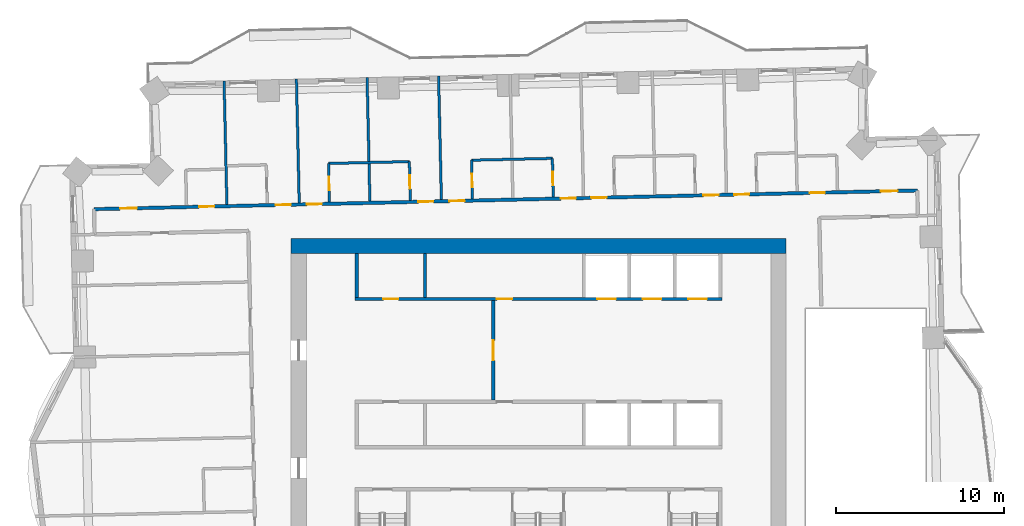
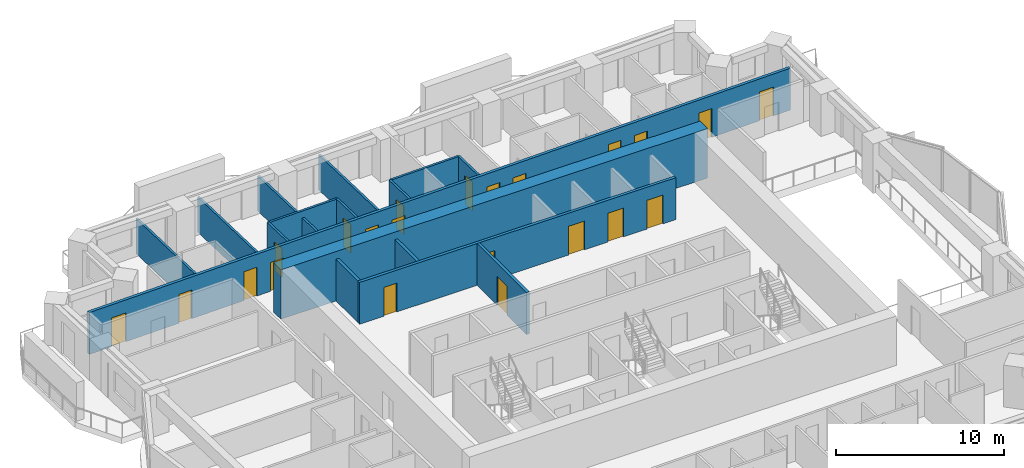
# One storey, part 10 of 16: 22 doors, 16 walls, 22 openings.
"""IFC4 building model written with IfcOpenShell, lengths in metres."""

from ifc_helpers import new_model, si_unit, direction, frame, frame_2d, origin, place, context, subcontext, project, spatial, rectangle, extrude, material, layer, layer_set, type_object, element, fill, save


model = new_model("IFC4")

# Units and contexts
model_context = context("Model", 3, precision=1e-05, world=origin(), true_north=direction((0.0, 1.0)))
body_context = subcontext(model_context, "Body", "Model", "MODEL_VIEW")
ifc_project = project(units=[si_unit("LENGTHUNIT", "METRE"), si_unit("AREAUNIT", "SQUARE_METRE"), si_unit("VOLUMEUNIT", "CUBIC_METRE"), si_unit("PLANEANGLEUNIT", "RADIAN"), si_unit("MASSUNIT", "GRAM", prefix="KILO")], contexts=[model_context])

# Site, building, storey
site_placement = place(None, origin())
site = spatial("IfcSite", under=ifc_project, at=site_placement, CompositionType="ELEMENT")
building_placement = place(site_placement, origin())
building = spatial("IfcBuilding", under=site, at=building_placement, Name="Mangrove Gate Tower", CompositionType="ELEMENT")
storey_placement = place(building_placement, frame((0.0, 0.0, 140.89990234375)))
storey = spatial("IfcBuildingStorey", under=building, at=storey_placement, Name="L35", CompositionType="ELEMENT", Elevation=140.89990234375)

# Wall, opening, door
ifc_material_1 = material(Name="Concrete C32/40", Category="concrete")
ifc_layer_1 = layer(ifc_material_1, 0.199951171875)
ifc_layer_set_1 = layer_set([ifc_layer_1], Name="Core lobby wall 200 C32/40")
wall_type_1 = type_object("IfcWallType", Name="Core lobby wall 200 C32/40", PredefinedType="STANDARD", material=ifc_layer_set_1)
wall_1_placement = place(storey_placement, frame((-2.699951171875, 2.10009765625, 0.0), z_axis=(0.0, 0.0, 1.0), x_axis=(0.0, 1.0, 0.0)))
wall_1 = element("IfcWall", 1, at=wall_1_placement, inside=storey, type_object=wall_type_1, Name="WALL-L35-CORE-31", PredefinedType="STANDARD", context=body_context, shape_type="SweptSolid", body=[
    extrude(rectangle(XDim=5.89990234375, YDim=0.199951171875, at=frame_2d((2.949951171875, 0.0))), origin(), (0.0, 0.0, 1.0), 3.050048828125),
])
opening_1_placement = place(wall_1_placement, frame((2.35009765625, 0.0, 0.0)))
opening_1 = element("IfcOpeningElement", 2, at=opening_1_placement, cuts=wall_1, Name="Opening FL12", PredefinedType="OPENING", context=body_context, shape_type="SweptSolid", body=[
    extrude(rectangle(XDim=1.199951171875, YDim=2.10009765625, at=frame_2d((0.60009765625, 1.050048828125))), frame((0.0, 0.10986328125, 0.0), z_axis=(0.0, -1.0, 0.0), x_axis=(1.0, 0.0, 0.0)), (0.0, 0.0, 1.0), 0.219970703125),
])
ifc_material_2 = material(Name="Fire-rated steel door set", Category="steel")
door_type_1 = type_object("IfcDoorType", Name="Lobby door FD60 1200x2100", OperationType="SINGLE_SWING_LEFT", PredefinedType="DOOR", material=ifc_material_2)
door_1_placement = place(opening_1_placement, origin())
door_1 = element("IfcDoor", 3, at=door_1_placement, inside=storey, type_object=door_type_1, Name="Lobby door lift lobby partition", OperationType="SINGLE_SWING_LEFT", OverallHeight=2.10009765625, OverallWidth=1.199951171875, PredefinedType="DOOR", context=body_context, shape_type="SweptSolid", body=[
    extrude(rectangle(XDim=1.199951171875, YDim=2.10009765625, at=frame_2d((0.60009765625, 1.050048828125))), frame((0.0, 0.02490234375, 0.0), z_axis=(0.0, -1.0, 0.0), x_axis=(1.0, 0.0, 0.0)), (0.0, 0.0, 1.0), 0.050048828125),
])
fill(opening_1, door_1)

# Walls
ifc_material_3 = material(Name="Concrete C32/40", Category="concrete")
ifc_layer_2 = layer(ifc_material_3, 0.199951171875)
ifc_layer_set_2 = layer_set([ifc_layer_2], Name="Core room wall 200 C32/40")
wall_type_2 = type_object("IfcWallType", Name="Core room wall 200 C32/40", PredefinedType="STANDARD", material=ifc_layer_set_2)
for number, where, z_axis, x_axis, name in (
    (4, (-10.800048828125, 8.199951171875, 0.0), (0.0, 0.0, 1.0), (0.0, 1.0, 0.0), "WALL-L35-CORE-25"),
    (5, (-6.75, 8.199951171875, 0.0), (0.0, 0.0, 1.0), (0.0, 1.0, 0.0), "WALL-L35-CORE-26"),
):
    element("IfcWall", number, at=place(storey_placement, frame(where, z_axis=z_axis, x_axis=x_axis)), inside=storey, type_object=wall_type_2, Name=name, PredefinedType="STANDARD", context=body_context, shape_type="SweptSolid", body=[
        extrude(rectangle(XDim=2.60009765625, YDim=0.199951171875, at=frame_2d((1.300048828125, 0.0))), origin(), (0.0, 0.0, 1.0), 3.050048828125),
    ])

# Wall, openings, doors
ifc_material_4 = material(Name="Concrete C70/85", Category="concrete")
ifc_layer_3 = layer(ifc_material_4, 0.199951171875)
ifc_layer_set_3 = layer_set([ifc_layer_3], Name="Core shaft wall 200 C70/85")
wall_type_3 = type_object("IfcWallType", Name="Core shaft wall 200 C70/85", PredefinedType="SHEAR", material=ifc_layer_set_3)
wall_2_placement = place(storey_placement, frame((-10.89990234375, 8.10009765625, 0.0), z_axis=(0.0, 0.0, 1.0), x_axis=(1.0, 0.0, 0.0)))
wall_2 = element("IfcWall", 6, at=wall_2_placement, inside=storey, type_object=wall_type_3, Name="WALL-L35-CORE-8", PredefinedType="SHEAR", context=body_context, shape_type="SweptSolid", body=[
    extrude(rectangle(XDim=21.7998046875, YDim=0.199951171875, at=frame_2d((10.89990234375, 0.0))), origin(), (0.0, 0.0, 1.0), 3.050048828125),
])
opening_2_placement = place(wall_2_placement, frame((14.39990234375, 0.0, 0.0)))
opening_2 = element("IfcOpeningElement", 7, at=opening_2_placement, cuts=wall_2, Name="Opening LD", PredefinedType="OPENING", context=body_context, shape_type="SweptSolid", body=[
    extrude(rectangle(XDim=1.10009765625, YDim=2.10009765625, at=frame_2d((0.550048828125, 1.050048828125))), frame((0.0, 0.10986328125, 0.0), z_axis=(0.0, -1.0, 0.0), x_axis=(1.0, 0.0, 0.0)), (0.0, 0.0, 1.0), 0.219970703125),
])
opening_3_placement = place(wall_2_placement, frame((17.10009765625, 0.0, 0.0)))
opening_3 = element("IfcOpeningElement", 8, at=opening_3_placement, cuts=wall_2, Name="Opening LD", PredefinedType="OPENING", context=body_context, shape_type="SweptSolid", body=[
    extrude(rectangle(XDim=1.10009765625, YDim=2.10009765625, at=frame_2d((0.550048828125, 1.050048828125))), frame((0.0, 0.10986328125, 0.0), z_axis=(0.0, -1.0, 0.0), x_axis=(1.0, 0.0, 0.0)), (0.0, 0.0, 1.0), 0.219970703125),
])
opening_4_placement = place(wall_2_placement, frame((19.800048828125, 0.0, 0.0)))
opening_4 = element("IfcOpeningElement", 9, at=opening_4_placement, cuts=wall_2, Name="Opening LD", PredefinedType="OPENING", context=body_context, shape_type="SweptSolid", body=[
    extrude(rectangle(XDim=1.10009765625, YDim=2.10009765625, at=frame_2d((0.550048828125, 1.050048828125))), frame((0.0, 0.10986328125, 0.0), z_axis=(0.0, -1.0, 0.0), x_axis=(1.0, 0.0, 0.0)), (0.0, 0.0, 1.0), 0.219970703125),
])
opening_5_placement = place(wall_2_placement, frame((1.675048828125, 0.0, 0.0)))
opening_5 = element("IfcOpeningElement", 10, at=opening_5_placement, cuts=wall_2, Name="Opening KD", PredefinedType="OPENING", context=body_context, shape_type="SweptSolid", body=[
    extrude(rectangle(XDim=0.89990234375, YDim=2.10009765625, at=frame_2d((0.449951171875, 1.050048828125))), frame((0.0, 0.10986328125, 0.0), z_axis=(0.0, -1.0, 0.0), x_axis=(1.0, 0.0, 0.0)), (0.0, 0.0, 1.0), 0.219970703125),
])
opening_6_placement = place(wall_2_placement, frame((8.425048828125, 0.0, 0.0)))
opening_6 = element("IfcOpeningElement", 11, at=opening_6_placement, cuts=wall_2, Name="Opening RD", PredefinedType="OPENING", context=body_context, shape_type="SweptSolid", body=[
    extrude(rectangle(XDim=0.89990234375, YDim=2.10009765625, at=frame_2d((0.449951171875, 1.050048828125))), frame((0.0, 0.10986328125, 0.0), z_axis=(0.0, -1.0, 0.0), x_axis=(1.0, 0.0, 0.0)), (0.0, 0.0, 1.0), 0.219970703125),
])
ifc_material_5 = material(Name="Fire-rated steel door set", Category="steel")
door_type_2 = type_object("IfcDoorType", Name="Core room door FD30S 900x2100", OperationType="SINGLE_SWING_RIGHT", PredefinedType="DOOR", material=ifc_material_5)
door_2_placement = place(opening_5_placement, origin())
door_2 = element("IfcDoor", 12, at=door_2_placement, inside=storey, type_object=door_type_2, Name="Core room door Linen store", OperationType="SINGLE_SWING_RIGHT", OverallHeight=2.10009765625, OverallWidth=0.89990234375, PredefinedType="DOOR", context=body_context, shape_type="SweptSolid", body=[
    extrude(rectangle(XDim=0.89990234375, YDim=2.10009765625, at=frame_2d((0.449951171875, 1.050048828125))), frame((0.0, 0.02490234375, 0.0), z_axis=(0.0, -1.0, 0.0), x_axis=(1.0, 0.0, 0.0)), (0.0, 0.0, 1.0), 0.050048828125),
])
fill(opening_5, door_2)
ifc_material_6 = material(Name="Stainless steel 316", Category="steel")
door_type_3 = type_object("IfcDoorType", Name="Lift landing door 1100x2100", OperationType="SLIDING_TO_LEFT", PredefinedType="DOOR", material=ifc_material_6)
door_3_placement = place(opening_2_placement, origin())
door_3 = element("IfcDoor", 13, at=door_3_placement, inside=storey, type_object=door_type_3, Name="Landing door LD M04", OperationType="SLIDING_TO_LEFT", OverallHeight=2.10009765625, OverallWidth=1.10009765625, PredefinedType="DOOR", context=body_context, shape_type="SweptSolid", body=[
    extrude(rectangle(XDim=1.10009765625, YDim=2.10009765625, at=frame_2d((0.550048828125, 1.050048828125))), frame((0.0, 0.02490234375, 0.0), z_axis=(0.0, -1.0, 0.0), x_axis=(1.0, 0.0, 0.0)), (0.0, 0.0, 1.0), 0.050048828125),
])
fill(opening_2, door_3)
door_4_placement = place(opening_3_placement, origin())
door_4 = element("IfcDoor", 14, at=door_4_placement, inside=storey, type_object=door_type_3, Name="Landing door LD M05", OperationType="SLIDING_TO_LEFT", OverallHeight=2.10009765625, OverallWidth=1.10009765625, PredefinedType="DOOR", context=body_context, shape_type="SweptSolid", body=[
    extrude(rectangle(XDim=1.10009765625, YDim=2.10009765625, at=frame_2d((0.550048828125, 1.050048828125))), frame((0.0, 0.02490234375, 0.0), z_axis=(0.0, -1.0, 0.0), x_axis=(1.0, 0.0, 0.0)), (0.0, 0.0, 1.0), 0.050048828125),
])
fill(opening_3, door_4)
door_5_placement = place(opening_4_placement, origin())
door_5 = element("IfcDoor", 15, at=door_5_placement, inside=storey, type_object=door_type_3, Name="Landing door LD M06", OperationType="SLIDING_TO_LEFT", OverallHeight=2.10009765625, OverallWidth=1.10009765625, PredefinedType="DOOR", context=body_context, shape_type="SweptSolid", body=[
    extrude(rectangle(XDim=1.10009765625, YDim=2.10009765625, at=frame_2d((0.550048828125, 1.050048828125))), frame((0.0, 0.02490234375, 0.0), z_axis=(0.0, -1.0, 0.0), x_axis=(1.0, 0.0, 0.0)), (0.0, 0.0, 1.0), 0.050048828125),
])
fill(opening_4, door_5)
ifc_material_7 = material(Name="Fire-rated steel door set", Category="steel")
door_type_4 = type_object("IfcDoorType", Name="Riser door FD30S 900x2100", OperationType="SINGLE_SWING_LEFT", PredefinedType="DOOR", material=ifc_material_7)
door_6_placement = place(opening_6_placement, origin())
door_6 = element("IfcDoor", 16, at=door_6_placement, inside=storey, type_object=door_type_4, Name="Riser door Switch room", OperationType="SINGLE_SWING_LEFT", OverallHeight=2.10009765625, OverallWidth=0.89990234375, PredefinedType="DOOR", context=body_context, shape_type="SweptSolid", body=[
    extrude(rectangle(XDim=0.89990234375, YDim=2.10009765625, at=frame_2d((0.449951171875, 1.050048828125))), frame((0.0, 0.02490234375, 0.0), z_axis=(0.0, -1.0, 0.0), x_axis=(1.0, 0.0, 0.0)), (0.0, 0.0, 1.0), 0.050048828125),
])
fill(opening_6, door_6)

# Wall
ifc_material_8 = material(Name="Concrete C70/85", Category="concrete")
ifc_layer_4 = layer(ifc_material_8, 0.89990234375)
ifc_layer_set_4 = layer_set([ifc_layer_4], Name="Core wall 900 C70/85")
wall_type_4 = type_object("IfcWallType", Name="Core wall 900 C70/85", PredefinedType="SHEAR", material=ifc_layer_set_4)
wall_3_placement = place(storey_placement, frame((-14.699951171875, 11.25, 0.0), z_axis=(0.0, 0.0, 1.0), x_axis=(1.0, 0.0, 0.0)))
element("IfcWall", 17, at=wall_3_placement, inside=storey, type_object=wall_type_4, Name="WALL-L35-CORE-2", PredefinedType="SHEAR", context=body_context, shape_type="SweptSolid", body=[
    extrude(rectangle(XDim=29.39990234375, YDim=0.89990234375, at=frame_2d((14.699951171875, 0.0))), origin(), (0.0, 0.0, 1.0), 3.60009765625),
])

# Wall, openings, doors
ifc_material_9 = material(Name="Gypsum board on steel stud, EI 60", Category="steel")
ifc_layer_5 = layer(ifc_material_9, 0.199951171875)
ifc_layer_set_5 = layer_set([ifc_layer_5], Name="Corridor wall EI 60")
wall_type_5 = type_object("IfcWallType", Name="Corridor wall EI 60", PredefinedType="PARTITIONING", material=ifc_layer_set_5)
wall_4_placement = place(storey_placement, frame((-26.4208984375, 13.44091796875, 0.0), z_axis=(0.0, 0.0, 1.0), x_axis=(0.999742754064, 0.022680954485, 0.0)))
wall_4 = element("IfcWall", 18, at=wall_4_placement, inside=storey, type_object=wall_type_5, Name="WALL-L35-055", PredefinedType="PARTITIONING", context=body_context, shape_type="SweptSolid", body=[
    extrude(rectangle(XDim=48.944580078125, YDim=0.199951171875, at=frame_2d((24.47216796875, 0.0))), origin(), (0.0, 0.0, 1.0), 3.050048828125),
])
opening_7_placement = place(wall_4_placement, frame((46.77197265625, 0.0, 0.0)))
opening_7 = element("IfcOpeningElement", 19, at=opening_7_placement, cuts=wall_4, Name="Opening AD", PredefinedType="OPENING", context=body_context, shape_type="SweptSolid", body=[
    extrude(rectangle(XDim=1.0, YDim=2.10009765625, at=frame_2d((0.5, 1.050048828125))), frame((0.0, 0.10986328125, 0.0), z_axis=(0.0, -1.0, 0.0), x_axis=(1.0, 0.0, 0.0)), (0.0, 0.0, 1.0), 0.219970703125),
])
opening_8_placement = place(wall_4_placement, frame((42.550048828125, 0.0, 0.0)))
opening_8 = element("IfcOpeningElement", 20, at=opening_8_placement, cuts=wall_4, Name="Opening SD", PredefinedType="OPENING", context=body_context, shape_type="SweptSolid", body=[
    extrude(rectangle(XDim=0.89990234375, YDim=2.10009765625, at=frame_2d((0.449951171875, 1.050048828125))), frame((0.0, 0.10986328125, 0.0), z_axis=(0.0, -1.0, 0.0), x_axis=(1.0, 0.0, 0.0)), (0.0, 0.0, 1.0), 0.219970703125),
])
opening_9_placement = place(wall_4_placement, frame((38.050048828125, 0.0, 0.0)))
opening_9 = element("IfcOpeningElement", 21, at=opening_9_placement, cuts=wall_4, Name="Opening BD", PredefinedType="OPENING", context=body_context, shape_type="SweptSolid", body=[
    extrude(rectangle(XDim=0.89990234375, YDim=2.10009765625, at=frame_2d((0.449951171875, 1.050048828125))), frame((0.0, 0.10986328125, 0.0), z_axis=(0.0, -1.0, 0.0), x_axis=(1.0, 0.0, 0.0)), (0.0, 0.0, 1.0), 0.219970703125),
])
opening_10_placement = place(wall_4_placement, frame((36.22509765625, 0.0, 0.0)))
opening_10 = element("IfcOpeningElement", 22, at=opening_10_placement, cuts=wall_4, Name="Opening BD", PredefinedType="OPENING", context=body_context, shape_type="SweptSolid", body=[
    extrude(rectangle(XDim=0.89990234375, YDim=2.10009765625, at=frame_2d((0.449951171875, 1.050048828125))), frame((0.0, 0.10986328125, 0.0), z_axis=(0.0, -1.0, 0.0), x_axis=(1.0, 0.0, 0.0)), (0.0, 0.0, 1.0), 0.219970703125),
])
opening_11_placement = place(wall_4_placement, frame((29.574951171875, 0.0, 0.0)))
opening_11 = element("IfcOpeningElement", 23, at=opening_11_placement, cuts=wall_4, Name="Opening BD", PredefinedType="OPENING", context=body_context, shape_type="SweptSolid", body=[
    extrude(rectangle(XDim=0.89990234375, YDim=2.10009765625, at=frame_2d((0.449951171875, 1.050048828125))), frame((0.0, 0.10986328125, 0.0), z_axis=(0.0, -1.0, 0.0), x_axis=(1.0, 0.0, 0.0)), (0.0, 0.0, 1.0), 0.219970703125),
])
opening_12_placement = place(wall_4_placement, frame((27.75, 0.0, 0.0)))
opening_12 = element("IfcOpeningElement", 24, at=opening_12_placement, cuts=wall_4, Name="Opening BD", PredefinedType="OPENING", context=body_context, shape_type="SweptSolid", body=[
    extrude(rectangle(XDim=0.89990234375, YDim=2.10009765625, at=frame_2d((0.449951171875, 1.050048828125))), frame((0.0, 0.10986328125, 0.0), z_axis=(0.0, -1.0, 0.0), x_axis=(1.0, 0.0, 0.0)), (0.0, 0.0, 1.0), 0.219970703125),
])
opening_13_placement = place(wall_4_placement, frame((21.125, 0.0, 0.0)))
opening_13 = element("IfcOpeningElement", 25, at=opening_13_placement, cuts=wall_4, Name="Opening BD", PredefinedType="OPENING", context=body_context, shape_type="SweptSolid", body=[
    extrude(rectangle(XDim=0.89990234375, YDim=2.10009765625, at=frame_2d((0.449951171875, 1.050048828125))), frame((0.0, 0.10986328125, 0.0), z_axis=(0.0, -1.0, 0.0), x_axis=(1.0, 0.0, 0.0)), (0.0, 0.0, 1.0), 0.219970703125),
])
opening_14_placement = place(wall_4_placement, frame((19.27490234375, 0.0, 0.0)))
opening_14 = element("IfcOpeningElement", 26, at=opening_14_placement, cuts=wall_4, Name="Opening BD", PredefinedType="OPENING", context=body_context, shape_type="SweptSolid", body=[
    extrude(rectangle(XDim=0.89990234375, YDim=2.10009765625, at=frame_2d((0.449951171875, 1.050048828125))), frame((0.0, 0.10986328125, 0.0), z_axis=(0.0, -1.0, 0.0), x_axis=(1.0, 0.0, 0.0)), (0.0, 0.0, 1.0), 0.219970703125),
])
opening_15_placement = place(wall_4_placement, frame((12.64990234375, 0.0, 0.0)))
opening_15 = element("IfcOpeningElement", 27, at=opening_15_placement, cuts=wall_4, Name="Opening BD", PredefinedType="OPENING", context=body_context, shape_type="SweptSolid", body=[
    extrude(rectangle(XDim=0.89990234375, YDim=2.10009765625, at=frame_2d((0.449951171875, 1.050048828125))), frame((0.0, 0.10986328125, 0.0), z_axis=(0.0, -1.0, 0.0), x_axis=(1.0, 0.0, 0.0)), (0.0, 0.0, 1.0), 0.219970703125),
])
opening_16_placement = place(wall_4_placement, frame((10.800048828125, 0.0, 0.0)))
opening_16 = element("IfcOpeningElement", 28, at=opening_16_placement, cuts=wall_4, Name="Opening BD", PredefinedType="OPENING", context=body_context, shape_type="SweptSolid", body=[
    extrude(rectangle(XDim=0.89990234375, YDim=2.10009765625, at=frame_2d((0.449951171875, 1.050048828125))), frame((0.0, 0.10986328125, 0.0), z_axis=(0.0, -1.0, 0.0), x_axis=(1.0, 0.0, 0.0)), (0.0, 0.0, 1.0), 0.219970703125),
])
opening_17_placement = place(wall_4_placement, frame((1.550048828125, 0.0, 0.0)))
opening_17 = element("IfcOpeningElement", 29, at=opening_17_placement, cuts=wall_4, Name="Opening AD", PredefinedType="OPENING", context=body_context, shape_type="SweptSolid", body=[
    extrude(rectangle(XDim=1.0, YDim=2.10009765625, at=frame_2d((0.5, 1.050048828125))), frame((0.0, 0.10986328125, 0.0), z_axis=(0.0, -1.0, 0.0), x_axis=(1.0, 0.0, 0.0)), (0.0, 0.0, 1.0), 0.219970703125),
])
opening_18_placement = place(wall_4_placement, frame((6.25, 0.0, 0.0)))
opening_18 = element("IfcOpeningElement", 30, at=opening_18_placement, cuts=wall_4, Name="Opening SD", PredefinedType="OPENING", context=body_context, shape_type="SweptSolid", body=[
    extrude(rectangle(XDim=0.89990234375, YDim=2.10009765625, at=frame_2d((0.449951171875, 1.050048828125))), frame((0.0, 0.10986328125, 0.0), z_axis=(0.0, -1.0, 0.0), x_axis=(1.0, 0.0, 0.0)), (0.0, 0.0, 1.0), 0.219970703125),
])
ifc_material_10 = material(Name="Timber door leaf", Category="wood")
door_type_5 = type_object("IfcDoorType", Name="Amenity door 1000", OperationType="SINGLE_SWING_LEFT", PredefinedType="DOOR", material=ifc_material_10)
door_7_placement = place(opening_7_placement, origin())
door_7 = element("IfcDoor", 31, at=door_7_placement, inside=storey, type_object=door_type_5, Name="DOOR-L35-GAM-c3c", OperationType="SINGLE_SWING_RIGHT", OverallHeight=2.10009765625, OverallWidth=1.0, PredefinedType="DOOR", context=body_context, shape_type="SweptSolid", body=[
    extrude(rectangle(XDim=1.0, YDim=2.10009765625, at=frame_2d((0.5, 1.050048828125))), frame((0.0, 0.02490234375, 0.0), z_axis=(0.0, -1.0, 0.0), x_axis=(1.0, 0.0, 0.0)), (0.0, 0.0, 1.0), 0.050048828125),
])
fill(opening_7, door_7)
door_8_placement = place(opening_17_placement, origin())
door_8 = element("IfcDoor", 32, at=door_8_placement, inside=storey, type_object=door_type_5, Name="DOOR-L35-LNG-c5a", OperationType="SINGLE_SWING_LEFT", OverallHeight=2.10009765625, OverallWidth=1.0, PredefinedType="DOOR", context=body_context, shape_type="SweptSolid", body=[
    extrude(rectangle(XDim=1.0, YDim=2.10009765625, at=frame_2d((0.5, 1.050048828125))), frame((0.0, 0.02490234375, 0.0), z_axis=(0.0, -1.0, 0.0), x_axis=(1.0, 0.0, 0.0)), (0.0, 0.0, 1.0), 0.050048828125),
])
fill(opening_17, door_8)
ifc_material_11 = material(Name="Timber door leaf", Category="wood")
door_type_6 = type_object("IfcDoorType", Name="Bedroom door 900", OperationType="SINGLE_SWING_LEFT", PredefinedType="DOOR", material=ifc_material_11)
door_9_placement = place(opening_9_placement, origin())
door_9 = element("IfcDoor", 33, at=door_9_placement, inside=storey, type_object=door_type_6, Name="DOOR-L35-BED-c308", OperationType="SINGLE_SWING_RIGHT", OverallHeight=2.10009765625, OverallWidth=0.89990234375, PredefinedType="DOOR", context=body_context, shape_type="SweptSolid", body=[
    extrude(rectangle(XDim=0.89990234375, YDim=2.10009765625, at=frame_2d((0.449951171875, 1.050048828125))), frame((0.0, 0.02490234375, 0.0), z_axis=(0.0, -1.0, 0.0), x_axis=(1.0, 0.0, 0.0)), (0.0, 0.0, 1.0), 0.050048828125),
])
fill(opening_9, door_9)
door_10_placement = place(opening_10_placement, origin())
door_10 = element("IfcDoor", 34, at=door_10_placement, inside=storey, type_object=door_type_6, Name="DOOR-L35-BED-c309", OperationType="SINGLE_SWING_LEFT", OverallHeight=2.10009765625, OverallWidth=0.89990234375, PredefinedType="DOOR", context=body_context, shape_type="SweptSolid", body=[
    extrude(rectangle(XDim=0.89990234375, YDim=2.10009765625, at=frame_2d((0.449951171875, 1.050048828125))), frame((0.0, 0.02490234375, 0.0), z_axis=(0.0, -1.0, 0.0), x_axis=(1.0, 0.0, 0.0)), (0.0, 0.0, 1.0), 0.050048828125),
])
fill(opening_10, door_10)
door_11_placement = place(opening_11_placement, origin())
door_11 = element("IfcDoor", 35, at=door_11_placement, inside=storey, type_object=door_type_6, Name="DOOR-L35-BED-c410", OperationType="SINGLE_SWING_RIGHT", OverallHeight=2.10009765625, OverallWidth=0.89990234375, PredefinedType="DOOR", context=body_context, shape_type="SweptSolid", body=[
    extrude(rectangle(XDim=0.89990234375, YDim=2.10009765625, at=frame_2d((0.449951171875, 1.050048828125))), frame((0.0, 0.02490234375, 0.0), z_axis=(0.0, -1.0, 0.0), x_axis=(1.0, 0.0, 0.0)), (0.0, 0.0, 1.0), 0.050048828125),
])
fill(opening_11, door_11)
door_12_placement = place(opening_12_placement, origin())
door_12 = element("IfcDoor", 36, at=door_12_placement, inside=storey, type_object=door_type_6, Name="DOOR-L35-BED-c411", OperationType="SINGLE_SWING_LEFT", OverallHeight=2.10009765625, OverallWidth=0.89990234375, PredefinedType="DOOR", context=body_context, shape_type="SweptSolid", body=[
    extrude(rectangle(XDim=0.89990234375, YDim=2.10009765625, at=frame_2d((0.449951171875, 1.050048828125))), frame((0.0, 0.02490234375, 0.0), z_axis=(0.0, -1.0, 0.0), x_axis=(1.0, 0.0, 0.0)), (0.0, 0.0, 1.0), 0.050048828125),
])
fill(opening_12, door_12)
door_13_placement = place(opening_13_placement, origin())
door_13 = element("IfcDoor", 37, at=door_13_placement, inside=storey, type_object=door_type_6, Name="DOOR-L35-BED-c412", OperationType="SINGLE_SWING_RIGHT", OverallHeight=2.10009765625, OverallWidth=0.89990234375, PredefinedType="DOOR", context=body_context, shape_type="SweptSolid", body=[
    extrude(rectangle(XDim=0.89990234375, YDim=2.10009765625, at=frame_2d((0.449951171875, 1.050048828125))), frame((0.0, 0.02490234375, 0.0), z_axis=(0.0, -1.0, 0.0), x_axis=(1.0, 0.0, 0.0)), (0.0, 0.0, 1.0), 0.050048828125),
])
fill(opening_13, door_13)
door_14_placement = place(opening_14_placement, origin())
door_14 = element("IfcDoor", 38, at=door_14_placement, inside=storey, type_object=door_type_6, Name="DOOR-L35-BED-c513", OperationType="SINGLE_SWING_LEFT", OverallHeight=2.10009765625, OverallWidth=0.89990234375, PredefinedType="DOOR", context=body_context, shape_type="SweptSolid", body=[
    extrude(rectangle(XDim=0.89990234375, YDim=2.10009765625, at=frame_2d((0.449951171875, 1.050048828125))), frame((0.0, 0.02490234375, 0.0), z_axis=(0.0, -1.0, 0.0), x_axis=(1.0, 0.0, 0.0)), (0.0, 0.0, 1.0), 0.050048828125),
])
fill(opening_14, door_14)
door_15_placement = place(opening_15_placement, origin())
door_15 = element("IfcDoor", 39, at=door_15_placement, inside=storey, type_object=door_type_6, Name="DOOR-L35-BED-c514", OperationType="SINGLE_SWING_RIGHT", OverallHeight=2.10009765625, OverallWidth=0.89990234375, PredefinedType="DOOR", context=body_context, shape_type="SweptSolid", body=[
    extrude(rectangle(XDim=0.89990234375, YDim=2.10009765625, at=frame_2d((0.449951171875, 1.050048828125))), frame((0.0, 0.02490234375, 0.0), z_axis=(0.0, -1.0, 0.0), x_axis=(1.0, 0.0, 0.0)), (0.0, 0.0, 1.0), 0.050048828125),
])
fill(opening_15, door_15)
door_16_placement = place(opening_16_placement, origin())
door_16 = element("IfcDoor", 40, at=door_16_placement, inside=storey, type_object=door_type_6, Name="DOOR-L35-BED-c515", OperationType="SINGLE_SWING_LEFT", OverallHeight=2.10009765625, OverallWidth=0.89990234375, PredefinedType="DOOR", context=body_context, shape_type="SweptSolid", body=[
    extrude(rectangle(XDim=0.89990234375, YDim=2.10009765625, at=frame_2d((0.449951171875, 1.050048828125))), frame((0.0, 0.02490234375, 0.0), z_axis=(0.0, -1.0, 0.0), x_axis=(1.0, 0.0, 0.0)), (0.0, 0.0, 1.0), 0.050048828125),
])
fill(opening_16, door_16)
ifc_material_12 = material(Name="Timber door leaf", Category="wood")
door_type_7 = type_object("IfcDoorType", Name="Service room door 900", OperationType="SINGLE_SWING_LEFT", PredefinedType="DOOR", material=ifc_material_12)
door_17_placement = place(opening_8_placement, origin())
door_17 = element("IfcDoor", 41, at=door_17_placement, inside=storey, type_object=door_type_7, Name="DOOR-L35-LIN-c3a", OperationType="SINGLE_SWING_LEFT", OverallHeight=2.10009765625, OverallWidth=0.89990234375, PredefinedType="DOOR", context=body_context, shape_type="SweptSolid", body=[
    extrude(rectangle(XDim=0.89990234375, YDim=2.10009765625, at=frame_2d((0.449951171875, 1.050048828125))), frame((0.0, 0.02490234375, 0.0), z_axis=(0.0, -1.0, 0.0), x_axis=(1.0, 0.0, 0.0)), (0.0, 0.0, 1.0), 0.050048828125),
])
fill(opening_8, door_17)
door_18_placement = place(opening_18_placement, origin())
door_18 = element("IfcDoor", 42, at=door_18_placement, inside=storey, type_object=door_type_7, Name="DOOR-L35-LIN-c5a", OperationType="SINGLE_SWING_RIGHT", OverallHeight=2.10009765625, OverallWidth=0.89990234375, PredefinedType="DOOR", context=body_context, shape_type="SweptSolid", body=[
    extrude(rectangle(XDim=0.89990234375, YDim=2.10009765625, at=frame_2d((0.449951171875, 1.050048828125))), frame((0.0, 0.02490234375, 0.0), z_axis=(0.0, -1.0, 0.0), x_axis=(1.0, 0.0, 0.0)), (0.0, 0.0, 1.0), 0.050048828125),
])
fill(opening_18, door_18)

# Walls
ifc_material_13 = material(Name="Gypsum board on steel stud, EI 60", Category="steel")
ifc_layer_6 = layer(ifc_material_13, 0.14990234375)
ifc_layer_set_6 = layer_set([ifc_layer_6], Name="Party wall 150 EI 60")
wall_type_6 = type_object("IfcWallType", Name="Party wall 150 EI 60", PredefinedType="PARTITIONING", material=ifc_layer_set_6)
wall_5_placement = place(storey_placement, frame((-18.52294921875, 13.719970703125, 0.0), z_axis=(0.0, 0.0, 1.0), x_axis=(-0.022719896304, 0.99974186984, 0.0)))
element("IfcWall", 43, at=wall_5_placement, inside=storey, type_object=wall_type_6, Name="WALL-L35-057", PredefinedType="PARTITIONING", context=body_context, shape_type="SweptSolid", body=[
    extrude(rectangle(XDim=7.35009765625, YDim=0.14990234375, at=frame_2d((3.675048828125, 0.0))), origin(), (0.0, 0.0, 1.0), 2.550048828125),
])
wall_6_placement = place(storey_placement, frame((-14.22412109375, 13.818115234375, 0.0), z_axis=(0.0, 0.0, 1.0), x_axis=(-0.022720650804, 0.999741852694, 0.0)))
element("IfcWall", 44, at=wall_6_placement, inside=storey, type_object=wall_type_6, Name="WALL-L35-059", PredefinedType="PARTITIONING", context=body_context, shape_type="SweptSolid", body=[
    extrude(rectangle(XDim=7.349853515625, YDim=0.14990234375, at=frame_2d((3.6748046875, 0.0))), origin(), (0.0, 0.0, 1.0), 2.550048828125),
])

# Wall, opening, door
wall_7_placement = place(storey_placement, frame((-12.425048828125, 13.85791015625, 0.0), z_axis=(0.0, 0.0, 1.0), x_axis=(-0.022603288534, 0.999744513037, 0.0)))
wall_7 = element("IfcWall", 45, at=wall_7_placement, inside=storey, type_object=wall_type_6, Name="WALL-L35-060", PredefinedType="PARTITIONING", context=body_context, shape_type="SweptSolid", body=[
    extrude(rectangle(XDim=2.300537109375, YDim=0.14990234375, at=frame_2d((1.150390625, 0.0))), origin(), (0.0, 0.0, 1.0), 3.050048828125),
])
opening_19_placement = place(wall_7_placement, frame((0.699951171875, 0.0, 0.0)))
opening_19 = element("IfcOpeningElement", 46, at=opening_19_placement, cuts=wall_7, Name="Opening ED", PredefinedType="OPENING", context=body_context, shape_type="SweptSolid", body=[
    extrude(rectangle(XDim=0.800048828125, YDim=2.10009765625, at=frame_2d((0.39990234375, 1.050048828125))), frame((0.0, 0.0849609375, 0.0), z_axis=(0.0, -1.0, 0.0), x_axis=(1.0, 0.0, 0.0)), (0.0, 0.0, 1.0), 0.169921875),
])
ifc_material_14 = material(Name="Timber door leaf", Category="wood")
door_type_8 = type_object("IfcDoorType", Name="En-suite door 800", OperationType="SINGLE_SWING_LEFT", PredefinedType="DOOR", material=ifc_material_14)
door_19_placement = place(opening_19_placement, origin())
door_19 = element("IfcDoor", 47, at=door_19_placement, inside=storey, type_object=door_type_8, Name="DOOR-L35-ENS-c514", OperationType="SINGLE_SWING_RIGHT", OverallHeight=2.10009765625, OverallWidth=0.800048828125, PredefinedType="DOOR", context=body_context, shape_type="SweptSolid", body=[
    extrude(rectangle(XDim=0.800048828125, YDim=2.10009765625, at=frame_2d((0.39990234375, 1.050048828125))), frame((0.0, 0.02490234375, 0.0), z_axis=(0.0, -1.0, 0.0), x_axis=(1.0, 0.0, 0.0)), (0.0, 0.0, 1.0), 0.050048828125),
])
fill(opening_19, door_19)

# Wall
wall_8_placement = place(storey_placement, frame((-10.02490234375, 13.9130859375, 0.0), z_axis=(0.0, 0.0, 1.0), x_axis=(-0.022720650804, 0.999741852694, 0.0)))
element("IfcWall", 48, at=wall_8_placement, inside=storey, type_object=wall_type_6, Name="WALL-L35-061", PredefinedType="PARTITIONING", context=body_context, shape_type="SweptSolid", body=[
    extrude(rectangle(XDim=7.349853515625, YDim=0.14990234375, at=frame_2d((3.6748046875, 0.0))), origin(), (0.0, 0.0, 1.0), 2.550048828125),
])

# Wall, opening, door
wall_9_placement = place(storey_placement, frame((-7.6259765625, 13.967041015625, 0.0), z_axis=(0.0, 0.0, 1.0), x_axis=(-0.022603288534, 0.999744513037, 0.0)))
wall_9 = element("IfcWall", 49, at=wall_9_placement, inside=storey, type_object=wall_type_6, Name="WALL-L35-062", PredefinedType="PARTITIONING", context=body_context, shape_type="SweptSolid", body=[
    extrude(rectangle(XDim=2.300537109375, YDim=0.14990234375, at=frame_2d((1.150390625, 0.0))), origin(), (0.0, 0.0, 1.0), 3.050048828125),
])
opening_20_placement = place(wall_9_placement, frame((0.699951171875, 0.0, 0.0)))
opening_20 = element("IfcOpeningElement", 50, at=opening_20_placement, cuts=wall_9, Name="Opening ED", PredefinedType="OPENING", context=body_context, shape_type="SweptSolid", body=[
    extrude(rectangle(XDim=0.800048828125, YDim=2.10009765625, at=frame_2d((0.39990234375, 1.050048828125))), frame((0.0, 0.0849609375, 0.0), z_axis=(0.0, -1.0, 0.0), x_axis=(1.0, 0.0, 0.0)), (0.0, 0.0, 1.0), 0.169921875),
])
door_20_placement = place(opening_20_placement, origin())
door_20 = element("IfcDoor", 51, at=door_20_placement, inside=storey, type_object=door_type_8, Name="DOOR-L35-ENS-c513", OperationType="SINGLE_SWING_LEFT", OverallHeight=2.10009765625, OverallWidth=0.800048828125, PredefinedType="DOOR", context=body_context, shape_type="SweptSolid", body=[
    extrude(rectangle(XDim=0.800048828125, YDim=2.10009765625, at=frame_2d((0.39990234375, 1.050048828125))), frame((0.0, 0.02490234375, 0.0), z_axis=(0.0, -1.0, 0.0), x_axis=(1.0, 0.0, 0.0)), (0.0, 0.0, 1.0), 0.050048828125),
])
fill(opening_20, door_20)

# Wall
wall_10_placement = place(storey_placement, frame((-5.77587890625, 14.009033203125, 0.0), z_axis=(0.0, 0.0, 1.0), x_axis=(-0.022753850944, 0.999741097618, 0.0)))
element("IfcWall", 52, at=wall_10_placement, inside=storey, type_object=wall_type_6, Name="WALL-L35-063", PredefinedType="PARTITIONING", context=body_context, shape_type="SweptSolid", body=[
    extrude(rectangle(XDim=7.349853515625, YDim=0.14990234375, at=frame_2d((3.6748046875, 0.0))), origin(), (0.0, 0.0, 1.0), 2.550048828125),
])

# Wall, opening, door
wall_11_placement = place(storey_placement, frame((-3.927001953125, 14.051025390625, 0.0), z_axis=(0.0, 0.0, 1.0), x_axis=(-0.022603288534, 0.999744513037, 0.0)))
wall_11 = element("IfcWall", 53, at=wall_11_placement, inside=storey, type_object=wall_type_6, Name="WALL-L35-064", PredefinedType="PARTITIONING", context=body_context, shape_type="SweptSolid", body=[
    extrude(rectangle(XDim=2.300537109375, YDim=0.14990234375, at=frame_2d((1.150390625, 0.0))), origin(), (0.0, 0.0, 1.0), 3.050048828125),
])
opening_21_placement = place(wall_11_placement, frame((0.699951171875, 0.0, 0.0)))
opening_21 = element("IfcOpeningElement", 54, at=opening_21_placement, cuts=wall_11, Name="Opening ED", PredefinedType="OPENING", context=body_context, shape_type="SweptSolid", body=[
    extrude(rectangle(XDim=0.800048828125, YDim=2.10009765625, at=frame_2d((0.39990234375, 1.050048828125))), frame((0.0, 0.0849609375, 0.0), z_axis=(0.0, -1.0, 0.0), x_axis=(1.0, 0.0, 0.0)), (0.0, 0.0, 1.0), 0.169921875),
])
door_21_placement = place(opening_21_placement, origin())
door_21 = element("IfcDoor", 55, at=door_21_placement, inside=storey, type_object=door_type_8, Name="DOOR-L35-ENS-c412", OperationType="SINGLE_SWING_RIGHT", OverallHeight=2.10009765625, OverallWidth=0.800048828125, PredefinedType="DOOR", context=body_context, shape_type="SweptSolid", body=[
    extrude(rectangle(XDim=0.800048828125, YDim=2.10009765625, at=frame_2d((0.39990234375, 1.050048828125))), frame((0.0, 0.02490234375, 0.0), z_axis=(0.0, -1.0, 0.0), x_axis=(1.0, 0.0, 0.0)), (0.0, 0.0, 1.0), 0.050048828125),
])
fill(opening_21, door_21)

wall_12_placement = place(storey_placement, frame((0.8720703125, 14.159912109375, 0.0), z_axis=(0.0, 0.0, 1.0), x_axis=(-0.022603288534, 0.999744513037, 0.0)))
wall_12 = element("IfcWall", 56, at=wall_12_placement, inside=storey, type_object=wall_type_6, Name="WALL-L35-066", PredefinedType="PARTITIONING", context=body_context, shape_type="SweptSolid", body=[
    extrude(rectangle(XDim=2.300537109375, YDim=0.14990234375, at=frame_2d((1.150390625, 0.0))), origin(), (0.0, 0.0, 1.0), 3.050048828125),
])
opening_22_placement = place(wall_12_placement, frame((0.699951171875, 0.0, 0.0)))
opening_22 = element("IfcOpeningElement", 57, at=opening_22_placement, cuts=wall_12, Name="Opening ED", PredefinedType="OPENING", context=body_context, shape_type="SweptSolid", body=[
    extrude(rectangle(XDim=0.800048828125, YDim=2.10009765625, at=frame_2d((0.39990234375, 1.050048828125))), frame((0.0, 0.0849609375, 0.0), z_axis=(0.0, -1.0, 0.0), x_axis=(1.0, 0.0, 0.0)), (0.0, 0.0, 1.0), 0.169921875),
])
door_22_placement = place(opening_22_placement, origin())
door_22 = element("IfcDoor", 58, at=door_22_placement, inside=storey, type_object=door_type_8, Name="DOOR-L35-ENS-c411", OperationType="SINGLE_SWING_LEFT", OverallHeight=2.10009765625, OverallWidth=0.800048828125, PredefinedType="DOOR", context=body_context, shape_type="SweptSolid", body=[
    extrude(rectangle(XDim=0.800048828125, YDim=2.10009765625, at=frame_2d((0.39990234375, 1.050048828125))), frame((0.0, 0.02490234375, 0.0), z_axis=(0.0, -1.0, 0.0), x_axis=(1.0, 0.0, 0.0)), (0.0, 0.0, 1.0), 0.050048828125),
])
fill(opening_22, door_22)

# Walls
for number, where, z_axis, x_axis, name in (
    (59, (-12.47900390625, 16.157958984375, 0.0), (0.0, 0.0, 1.0), (0.99974154664, 0.022734113616, 0.0), "WALL-L35-078"),
    (60, (-3.98095703125, 16.35107421875, 0.0), (0.0, 0.0, 1.0), (0.999742701292, 0.022683280499, 0.0), "WALL-L35-079"),
):
    element("IfcWall", number, at=place(storey_placement, frame(where, z_axis=z_axis, x_axis=x_axis)), inside=storey, type_object=wall_type_6, Name=name, PredefinedType="PARTITIONING", context=body_context, shape_type="SweptSolid", body=[
        extrude(rectangle(XDim=4.80029296875, YDim=0.14990234375, at=frame_2d((2.400146484375, 0.0))), origin(), (0.0, 0.0, 1.0), 3.050048828125),
    ])

save(model, "model.ifc")
